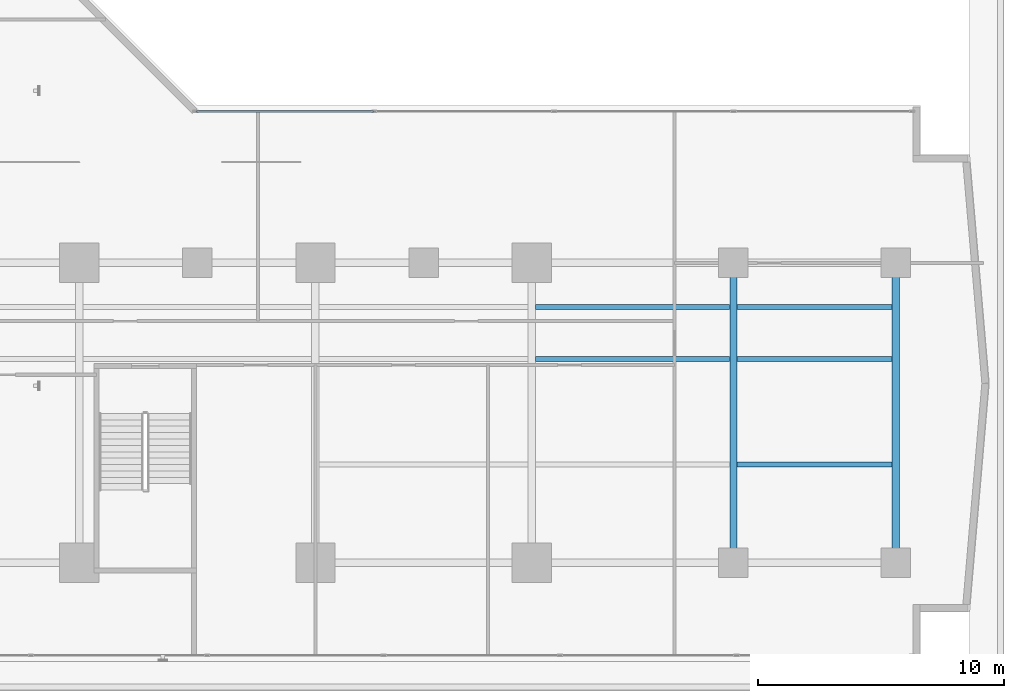
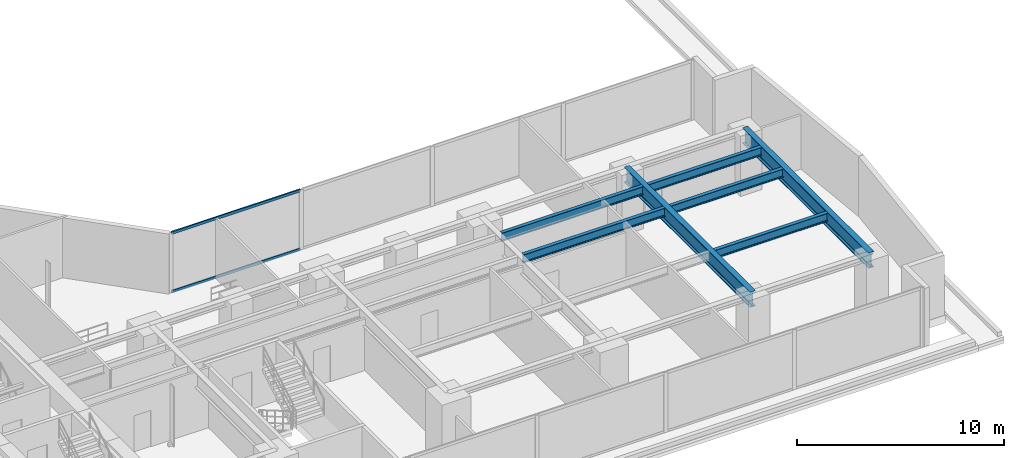
# One storey, part 12 of 29: 7 beams, 2 members, 1 element without a shape of its own.
"""IFC4 building model written with IfcOpenShell, lengths in metres."""

import ifcopenshell
import ifcopenshell.guid

model = None  # the IFC model being written
_history = None  # IfcOwnerHistory: only IFC2X3 demands one
_inside = {}  # id of a spatial element -> (the spatial element, [elements in it])
_under = {}  # id of a project, library or spatial element -> (it, [spatial elements below it])
_declared = {}  # id of a project -> (the project, [libraries it declares])
_typed = {}  # id of a type object -> (the type object, [elements of that type])
_made_of = {}  # id of a material, layer set ... -> (it, [elements and type objects made of it])


def new_model(schema):
    """Start an empty IFC model of exactly this schema.

    Asked for "IFC4X3", IfcOpenShell would pick the latest addendum, in which some entities
    have other attributes; the version numbers below select the first issue.
    IFC2X3 requires an IfcOwnerHistory on every rooted entity: one is made here for all.
    """
    global model, _history
    if schema == "IFC4X3":
        model = ifcopenshell.file(schema_version=(4, 3, 0, 0))
    else:
        model = ifcopenshell.file(schema=schema)
    _inside.clear()
    _under.clear()
    _declared.clear()
    _typed.clear()
    _made_of.clear()
    _history = None
    if model.schema == "IFC2X3":
        org = make("IfcOrganization", Name="unknown")
        user = make(
            "IfcPersonAndOrganization",
            ThePerson=make("IfcPerson", FamilyName="unknown"),
            TheOrganization=org,
        )
        app = make(
            "IfcApplication",
            ApplicationDeveloper=org,
            Version="unknown",
            ApplicationFullName="unknown",
            ApplicationIdentifier="unknown",
        )
        _history = make(
            "IfcOwnerHistory",
            OwningUser=user,
            OwningApplication=app,
            ChangeAction="ADDED",
            CreationDate=0,
        )
    return model


def make(cls, **values):
    """One entity of the class cls with the attributes given. An attribute that is None is left unset."""
    return model.create_entity(
        cls, **{name: value for name, value in values.items() if value is not None}
    )


def rooted(cls, **values):
    """An entity with a GlobalId (a new one), such as an element, a storey or a relation."""
    return make(cls, GlobalId=ifcopenshell.guid.new(), OwnerHistory=_history, **values)


def si_unit(unit_type, name, prefix=None):
    """IfcSIUnit, for example si_unit("LENGTHUNIT", "METRE", prefix="MILLI")."""
    return make("IfcSIUnit", UnitType=unit_type, Prefix=prefix, Name=name)


def assignment(units):
    """IfcUnitAssignment: the units of a project."""
    return None if units is None else make("IfcUnitAssignment", Units=units)


def point(xyz):
    """IfcCartesianPoint."""
    return None if xyz is None else make("IfcCartesianPoint", Coordinates=xyz)


def direction(xyz):
    """IfcDirection."""
    return None if xyz is None else make("IfcDirection", DirectionRatios=xyz)


def frame(location, z_axis=None, x_axis=None):
    """IfcAxis2Placement3D, a coordinate frame: its origin and axes. An axis left out is left unset."""
    return make(
        "IfcAxis2Placement3D",
        Location=point(location),
        Axis=direction(z_axis),
        RefDirection=direction(x_axis),
    )


def frame_2d(location, x_axis=None):
    """IfcAxis2Placement2D, a coordinate frame in the plane: its origin and x axis."""
    return make(
        "IfcAxis2Placement2D", Location=point(location), RefDirection=direction(x_axis)
    )


def origin():
    """The frame at (0, 0, 0) with its axes left unset."""
    return frame((0.0, 0.0, 0.0))


def origin_with_axes():
    """The frame at (0, 0, 0) with the z axis (0, 0, 1) and the x axis (1, 0, 0) written out."""
    return frame((0.0, 0.0, 0.0), z_axis=(0.0, 0.0, 1.0), x_axis=(1.0, 0.0, 0.0))


def origin_2d():
    """The frame at (0, 0) in the plane with its x axis left unset."""
    return frame_2d((0.0, 0.0))


def place(relative_to, where):
    """IfcLocalPlacement: puts the frame where relative to a parent placement (None: the world)."""
    return make(
        "IfcLocalPlacement", PlacementRelTo=relative_to, RelativePlacement=where
    )


def context(
    kind, dimensions, precision=None, world=None, true_north=None, identifier=None
):
    """IfcGeometricRepresentationContext, for example the 3D "Model" context."""
    return make(
        "IfcGeometricRepresentationContext",
        ContextIdentifier=identifier,
        ContextType=kind,
        CoordinateSpaceDimension=dimensions,
        Precision=precision,
        WorldCoordinateSystem=world,
        TrueNorth=true_north,
    )


def subcontext(parent, identifier, kind, view, scale=None):
    """IfcGeometricRepresentationSubContext, for example "Body" below "Model"."""
    return make(
        "IfcGeometricRepresentationSubContext",
        ContextIdentifier=identifier,
        ContextType=kind,
        ParentContext=parent,
        TargetScale=scale,
        TargetView=view,
    )


def project(units=None, contexts=None):
    """IfcProject with its units and contexts."""
    return rooted(
        "IfcProject",
        Name="project",
        RepresentationContexts=contexts,
        UnitsInContext=assignment(units),
    )


def spatial(cls, under=None, at=None, **own):
    """A site, building, storey or space (cls), placed at a placement, below another one or the project."""
    s = rooted(cls, ObjectPlacement=at, **own)
    if under is not None:
        _under.setdefault(under.id(), (under, []))[1].append(s)
    return s


def profile(cls, at=None, kind="AREA", **sizes):
    """A parametric profile (cls). Its sizes go by their IFC names, for example OverallWidth=200.0."""
    return make(cls, ProfileType=kind, Position=at, **sizes)


def hollow_rectangle(**sizes):
    """IfcRectangleHollowProfileDef."""
    return profile("IfcRectangleHollowProfileDef", **sizes)


def i_section(**sizes):
    """IfcIShapeProfileDef."""
    return profile("IfcIShapeProfileDef", **sizes)


def extrude(swept, where, along, depth):
    """IfcExtrudedAreaSolid: the profile swept, set in the frame where, extruded along a direction by depth."""
    return make(
        "IfcExtrudedAreaSolid",
        SweptArea=swept,
        Position=where,
        ExtrudedDirection=direction(along),
        Depth=depth,
    )


def shape(context_of_items, identifier, shape_type, items):
    """IfcShapeRepresentation: the items that make up one representation, for example the "Body"."""
    return make(
        "IfcShapeRepresentation",
        ContextOfItems=context_of_items,
        RepresentationIdentifier=identifier,
        RepresentationType=shape_type,
        Items=items,
    )


def source(mapping_origin, context_of_items, identifier, shape_type, items):
    """IfcRepresentationMap: a shape defined once, which mapped items show again and again."""
    return make(
        "IfcRepresentationMap",
        MappingOrigin=mapping_origin,
        MappedRepresentation=shape(context_of_items, identifier, shape_type, items),
    )


def transform(
    local_origin,
    x_axis=None,
    y_axis=None,
    z_axis=None,
    scale=None,
    scale2=None,
    scale3=None,
    uniform=True,
):
    """IfcCartesianTransformationOperator3D, or its non-uniform kind. x_axis, y_axis, z_axis: its Axis1, 2, 3."""
    if uniform:
        return make(
            "IfcCartesianTransformationOperator3D",
            Axis1=direction(x_axis),
            Axis2=direction(y_axis),
            LocalOrigin=point(local_origin),
            Scale=scale,
            Axis3=direction(z_axis),
        )
    return make(
        "IfcCartesianTransformationOperator3DnonUniform",
        Axis1=direction(x_axis),
        Axis2=direction(y_axis),
        LocalOrigin=point(local_origin),
        Scale=scale,
        Axis3=direction(z_axis),
        Scale2=scale2,
        Scale3=scale3,
    )


def mapped(mapping_source, mapping_target):
    """IfcMappedItem: shows the shape of a source again, moved by a transform."""
    return make(
        "IfcMappedItem", MappingSource=mapping_source, MappingTarget=mapping_target
    )


def material(Name=None, Category=None):
    """IfcMaterial."""
    return make("IfcMaterial", Name=Name, Category=Category)


def layer(
    of_material, thickness, ventilated=None, Name=None, Category=None, Priority=None
):
    """IfcMaterialLayer: one layer of a wall or slab, of a material (None: an air gap)."""
    return make(
        "IfcMaterialLayer",
        Material=of_material,
        LayerThickness=thickness,
        IsVentilated=ventilated,
        Name=Name,
        Category=Category,
        Priority=Priority,
    )


def layer_set(layers, Name=None):
    """IfcMaterialLayerSet."""
    return make("IfcMaterialLayerSet", MaterialLayers=layers, LayerSetName=Name)


def material_profile(
    of_material, cross_section, Name=None, Category=None, Priority=None
):
    """IfcMaterialProfile: a cross section and its material."""
    return make(
        "IfcMaterialProfile",
        Name=Name,
        Material=of_material,
        Profile=cross_section,
        Priority=Priority,
        Category=Category,
    )


def profile_set(profiles, Name=None, composite=None):
    """IfcMaterialProfileSet."""
    return make(
        "IfcMaterialProfileSet",
        Name=Name,
        MaterialProfiles=profiles,
        CompositeProfile=composite,
    )


def made_of(thing, what):
    """Note that an element or type object is made of a material, layer set ...; save() writes the relation."""
    if what is not None:
        _made_of.setdefault(what.id(), (what, []))[1].append(thing)
    return thing


def type_object(cls, material=None, **own):
    """A type object (cls), such as IfcWallType, which elements share."""
    return made_of(rooted(cls, **own), material)


def element(
    cls,
    number,
    at=None,
    inside=None,
    cuts=None,
    type_object=None,
    material=None,
    context=None,
    identifier="Body",
    shape_type=None,
    held_by="IfcProductDefinitionShape",
    body=None,
    shapes=None,
    **own,
):
    """One element of the class cls, such as IfcWall. Its Tag is "e" and its number.

    at: its placement. inside: the storey or other place that contains it. cuts: it is an
    opening in that element (IfcRelVoidsElement). A single representation is given by context,
    identifier, shape_type and body (its items); several are given by shapes. held_by: the class
    of the entity that holds the representations. save() writes the other relations.
    """
    e = rooted(cls, Tag="e%d" % number, ObjectPlacement=at, **own)
    if body is not None:
        shapes = [shape(context, identifier, shape_type, body)]
    if shapes is not None:
        e.Representation = make(held_by, Representations=shapes)
    if inside is not None:
        _inside.setdefault(inside.id(), (inside, []))[1].append(e)
    if cuts is not None:
        rooted(
            "IfcRelVoidsElement", RelatingBuildingElement=cuts, RelatedOpeningElement=e
        )
    if type_object is not None:
        _typed.setdefault(type_object.id(), (type_object, []))[1].append(e)
    return made_of(e, material)


def aggregate(whole, parts):
    """IfcRelAggregates: a whole, such as a stair, and the parts it consists of."""
    return rooted("IfcRelAggregates", RelatingObject=whole, RelatedObjects=parts)


def save(model, path):
    """Write the relations noted so far, then the file.

    IfcRelAggregates (storeys below a building ...), IfcRelContainedInSpatialStructure (elements
    in a storey), IfcRelDefinesByType, IfcRelAssociatesMaterial and IfcRelDeclares: one each for
    every whole, place, type object, material and project.
    """
    for whole, parts in _under.values():
        aggregate(whole, parts)
    for where, things in _inside.values():
        rooted(
            "IfcRelContainedInSpatialStructure",
            RelatedElements=things,
            RelatingStructure=where,
        )
    for kind, things in _typed.values():
        rooted("IfcRelDefinesByType", RelatedObjects=things, RelatingType=kind)
    for what, things in _made_of.values():
        rooted("IfcRelAssociatesMaterial", RelatedObjects=things, RelatingMaterial=what)
    for by, libraries in _declared.values():
        rooted("IfcRelDeclares", RelatingContext=by, RelatedDefinitions=libraries)
    model.write(path)


model = new_model("IFC4")

# Units and contexts
model_context = context("Model", 3, precision=1e-05, world=origin(), true_north=direction((0.0, 1.0)))
body_context = subcontext(model_context, "Body", "Model", "MODEL_VIEW")
ifc_project = project(units=[si_unit("LENGTHUNIT", "METRE"), si_unit("AREAUNIT", "SQUARE_METRE"), si_unit("VOLUMEUNIT", "CUBIC_METRE"), si_unit("PLANEANGLEUNIT", "RADIAN"), si_unit("MASSUNIT", "GRAM", prefix="KILO")], contexts=[model_context])

# Site, building, storey
site_placement = place(None, origin())
site = spatial("IfcSite", under=ifc_project, at=site_placement, CompositionType="ELEMENT")
building_placement = place(site_placement, origin())
building = spatial("IfcBuilding", under=site, at=building_placement, Name="Kolvaren Waterfront Exchange", CompositionType="ELEMENT")
storey_placement = place(building_placement, frame((0.0, 0.0, 29.60009765625)))
storey = spatial("IfcBuildingStorey", under=building, at=storey_placement, Name="L07", CompositionType="ELEMENT", Elevation=29.60009765625)

# Beams
ifc_material_1 = material(Name="Steel S355", Category="steel")
ifc_material_profile_1 = material_profile(ifc_material_1, i_section(OverallWidth=0.199951171875, OverallDepth=0.5, WebThickness=0.01025390625, FlangeThickness=0.01611328125, FilletRadius=0.02099609375, at=origin_2d()), Name="IPE500")
ifc_profile_set_1 = profile_set([ifc_material_profile_1], Name="Steel S355")
beam_type_1 = type_object("IfcBeamType", Name="STR-BM-IPE500", PredefinedType="JOIST", material=ifc_profile_set_1)
for number, where, z_axis, x_axis, name in (
    (1, (45.7529296875, 13.5, 3.289794921875), (1.0, 0.0, 0.0), (0.0, 1.0, 0.0), "L07 east-arm composite joist 4A"),
    (2, (45.7529296875, 15.60009765625, 3.289794921875), (1.0, 0.0, 0.0), (0.0, 1.0, 0.0), "L07 east-arm composite joist 4C"),
):
    element("IfcBeam", number, at=place(storey_placement, frame(where, z_axis=z_axis, x_axis=x_axis)), inside=storey, type_object=beam_type_1, Name=name, PredefinedType="JOIST", context=body_context, shape_type="SweptSolid", body=[
        extrude(i_section(OverallWidth=0.199951171875, OverallDepth=0.5, WebThickness=0.01025390625, FlangeThickness=0.01611328125, FilletRadius=0.02099609375, at=origin_2d()), origin(), (0.0, 0.0, 1.0), 7.89404296875),
    ])
for number, where, z_axis, x_axis, name in (
    (3, (53.952880859375, 13.5, 3.289794921875), (1.0, 0.0, 0.0), (0.0, 1.0, 0.0), "L07 east-arm composite joist 5A"),
    (4, (53.952880859375, 15.60009765625, 3.289794921875), (1.0, 0.0, 0.0), (0.0, 1.0, 0.0), "L07 east-arm composite joist 5C"),
    (5, (53.952880859375, 9.199951171875, 3.289794921875), (1.0, 0.0, 0.0), (0.0, 1.0, 0.0), "L07 east-arm composite joist 5B"),
):
    element("IfcBeam", number, at=place(storey_placement, frame(where, z_axis=z_axis, x_axis=x_axis)), inside=storey, type_object=beam_type_1, Name=name, PredefinedType="JOIST", context=body_context, shape_type="SweptSolid", body=[
        extrude(i_section(OverallWidth=0.199951171875, OverallDepth=0.5, WebThickness=0.01025390625, FlangeThickness=0.01611328125, FilletRadius=0.02099609375, at=origin_2d()), origin(), (0.0, 0.0, 1.0), 6.294189453125),
    ])
ifc_material_2 = material(Name="Steel S460", Category="steel")
ifc_material_profile_2 = material_profile(ifc_material_2, i_section(OverallWidth=0.302001953125, OverallDepth=0.909912109375, WebThickness=0.02099609375, FlangeThickness=0.0400390625, FilletRadius=0.030029296875, at=origin_2d()), Name="HEM900")
ifc_profile_set_2 = profile_set([ifc_material_profile_2], Name="Steel S460")
beam_type_2 = type_object("IfcBeamType", Name="STR-TRG-HEM900", PredefinedType="BEAM", material=ifc_profile_set_2)
for number, where, z_axis, x_axis, name in (
    (6, (53.800048828125, 5.199951171875, 3.0849609375), (0.0, 1.0, 0.0), (-1.0, 0.0, 0.0), "L07 east-arm transverse girder X53"),
    (7, (60.39990234375, 5.199951171875, 3.0849609375), (0.0, 1.0, 0.0), (-1.0, 0.0, 0.0), "L07 east-arm transverse girder X60"),
):
    element("IfcBeam", number, at=place(storey_placement, frame(where, z_axis=z_axis, x_axis=x_axis)), inside=storey, type_object=beam_type_2, Name=name, PredefinedType="BEAM", context=body_context, shape_type="SweptSolid", body=[
        extrude(i_section(OverallWidth=0.302001953125, OverallDepth=0.909912109375, WebThickness=0.02099609375, FlangeThickness=0.0400390625, FilletRadius=0.030029296875, at=origin_2d()), origin(), (0.0, 0.0, 1.0), 12.199951171875),
    ])

# Curtain wall, members
ifc_material_3 = material(Name="Anodised bronze aluminium 6063-T6", Category="aluminium")
ifc_layer = layer(ifc_material_3, 0.219970703125, Name="Anodised bronze aluminium 6063-T6")
ifc_layer_set = layer_set([ifc_layer], Name="Anodised bronze aluminium 6063-T6")
curtain_wall_type = type_object("IfcCurtainWallType", Name="ARC-CW-SYS1", PredefinedType="USERDEFINED", material=ifc_layer_set)
curtain_wall_placement = place(storey_placement, origin())
curtain_wall = element("IfcCurtainWall", 8, at=curtain_wall_placement, inside=storey, type_object=curtain_wall_type, Name="L07 stick curtain wall CW1 (CW-L07-EN)", ObjectType="STICK CURTAIN WALL", PredefinedType="USERDEFINED")
ifc_material_4 = material(Name="Anodised aluminium 6063-T6", Category="aluminium")
ifc_material_profile_3 = material_profile(ifc_material_4, hollow_rectangle(XDim=0.074951171875, YDim=0.159912109375, WallThickness=0.00439453125, at=origin_2d()), Name="ALU-TRN-160x75x4.5")
ifc_profile_set_3 = profile_set([ifc_material_profile_3], Name="Anodised aluminium 6063-T6")
member_type = type_object("IfcMemberType", Name="ARC-CWT-160", PredefinedType="USERDEFINED", material=ifc_profile_set_3)
shared_shape = source(origin_with_axes(), body_context, "Body", "SweptSolid", [
    extrude(hollow_rectangle(XDim=0.074951171875, YDim=0.159912109375, WallThickness=0.00439453125, at=origin_2d()), origin(), (0.0, 0.0, 1.0), 7.1826171875),
])
member_1_placement = place(storey_placement, frame((31.969970703125, 23.56005859375, 0.037353515625), z_axis=(1.0, 0.0, 0.0), x_axis=(0.0, 1.0, 0.0)))
member_1 = element("IfcMember", 9, at=member_1_placement, type_object=member_type, Name="CW1 transom 1.1", ObjectType="TRANSOM", PredefinedType="USERDEFINED", context=body_context, shape_type="MappedRepresentation", body=[
    mapped(shared_shape, transform((0.0, 0.0, 0.0), x_axis=(1.0, 0.0, 0.0), y_axis=(0.0, 1.0, 0.0), z_axis=(0.0, 0.0, 1.0), scale=1.0)),
])
member_2_placement = place(storey_placement, frame((31.969970703125, 23.56005859375, 3.50244140625), z_axis=(1.0, 0.0, 0.0), x_axis=(0.0, 1.0, 0.0)))
member_2 = element("IfcMember", 10, at=member_2_placement, type_object=member_type, Name="CW1 transom 1.2", ObjectType="TRANSOM", PredefinedType="USERDEFINED", context=body_context, shape_type="MappedRepresentation", body=[
    mapped(shared_shape, transform((0.0, 0.0, 0.0), x_axis=(1.0, 0.0, 0.0), y_axis=(0.0, 1.0, 0.0), z_axis=(0.0, 0.0, 1.0), scale=1.0)),
])
aggregate(curtain_wall, [member_1, member_2])

save(model, "model.ifc")
